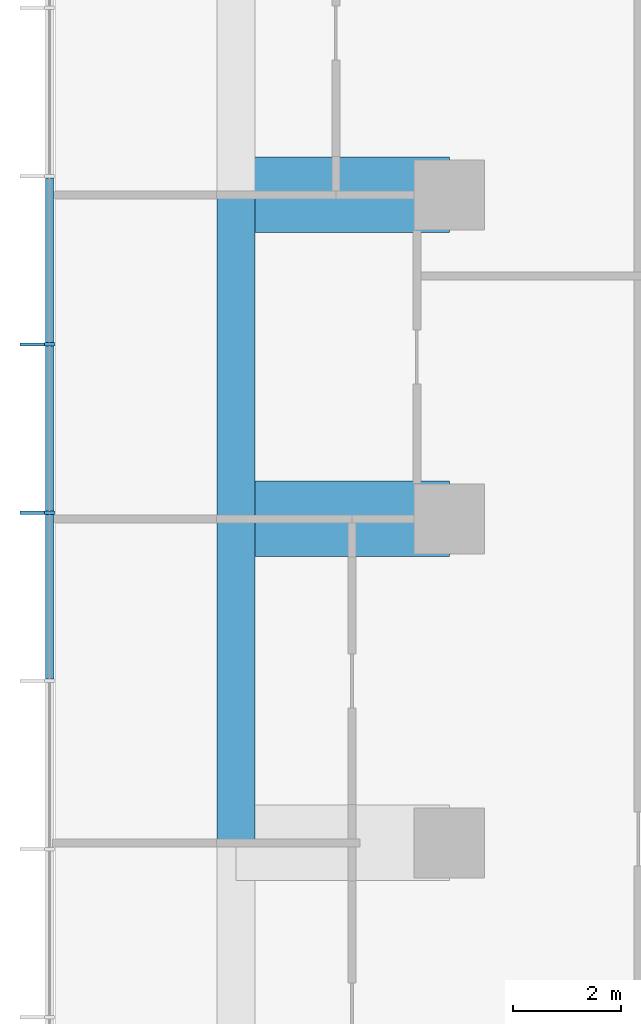
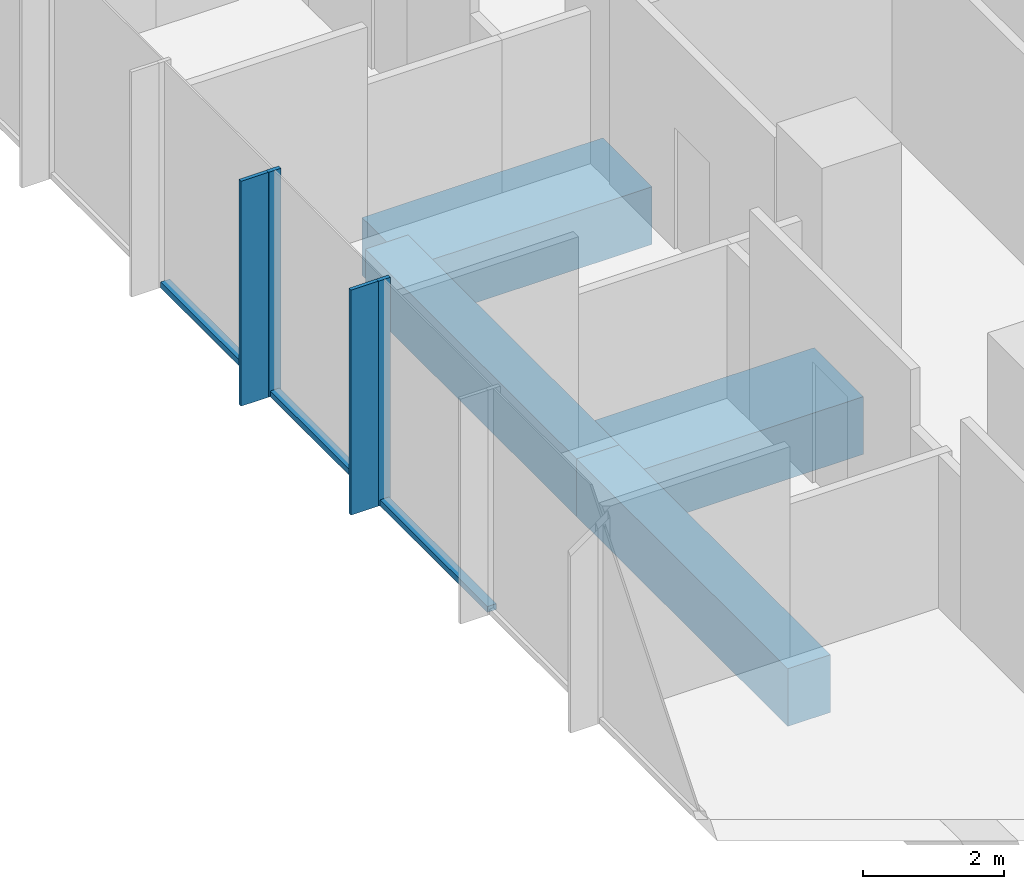
# One storey, part 3 of 11: 7 members, 4 beams, 1 element without a shape of its own.
"""IFC4 building model written with IfcOpenShell, lengths in metres."""

from ifc_helpers import new_model, si_unit, direction, frame, origin, origin_2d, place, context, subcontext, project, spatial, rectangle, extrude, material, layer, layer_set, material_profile, profile_set, type_object, element, aggregate, save


model = new_model("IFC4")

# Units and contexts
model_context = context("Model", 3, precision=1e-05, world=origin(), true_north=direction((0.0, 1.0)))
body_context = subcontext(model_context, "Body", "Model", "MODEL_VIEW")
ifc_project = project(units=[si_unit("LENGTHUNIT", "METRE"), si_unit("AREAUNIT", "SQUARE_METRE"), si_unit("VOLUMEUNIT", "CUBIC_METRE"), si_unit("PLANEANGLEUNIT", "RADIAN"), si_unit("MASSUNIT", "GRAM", prefix="KILO")], contexts=[model_context])

# Site, building, storey
site_placement = place(None, origin())
site = spatial("IfcSite", under=ifc_project, at=site_placement, CompositionType="ELEMENT")
building_placement = place(site_placement, origin())
building = spatial("IfcBuilding", under=site, at=building_placement, Name="Highveld Stack Headquarters", CompositionType="ELEMENT")
storey_placement = place(building_placement, frame((0.0, 0.0, 227.89990234375)))
storey = spatial("IfcBuildingStorey", under=building, at=storey_placement, Name="L56", CompositionType="ELEMENT", Elevation=227.89990234375)

# Beams
ifc_material_1 = material(Name="Concrete C60/75", Category="concrete")
ifc_material_profile_1 = material_profile(ifc_material_1, rectangle(XDim=1.39990234375, YDim=1.0, at=origin_2d()), Name="RC 1400x1000")
ifc_profile_set_1 = profile_set([ifc_material_profile_1], Name="Concrete C60/75")
beam_type_1 = type_object("IfcBeamType", Name="CANTILEVER RIB RC 1400x1000", PredefinedType="USERDEFINED", material=ifc_profile_set_1)
for number, where, z_axis, x_axis, name in (
    (1, (-12.0, 6.0, -0.75), (-1.0, 0.0, 0.0), (0.0, -1.0, 0.0), "Cantilever rib 4/F L56"),
    (2, (-12.0, 12.0, -0.75), (-1.0, 0.0, 0.0), (0.0, -1.0, 0.0), "Cantilever rib 4/G L56"),
):
    element("IfcBeam", number, at=place(storey_placement, frame(where, z_axis=z_axis, x_axis=x_axis)), inside=storey, type_object=beam_type_1, Name=name, ObjectType="CANTILEVER RIB", PredefinedType="USERDEFINED", context=body_context, shape_type="SweptSolid", body=[
        extrude(rectangle(XDim=1.39990234375, YDim=1.0, at=origin_2d()), origin(), (0.0, 0.0, 1.0), 3.949951171875),
    ])

# Curtain wall, members
ifc_material_2 = material(Name="Aluminium bronze anodised", Category="aluminium")
ifc_layer = layer(ifc_material_2, 0.199951171875)
ifc_layer_set = layer_set([ifc_layer], Name="Aluminium bronze anodised")
curtain_wall_type = type_object("IfcCurtainWallType", Name="CW1 TOWER UNITISED CURTAIN WALL", PredefinedType="NOTDEFINED", material=ifc_layer_set)
curtain_wall_placement = place(storey_placement, origin())
curtain_wall = element("IfcCurtainWall", 3, at=curtain_wall_placement, inside=storey, type_object=curtain_wall_type, Name="Curtain wall CW1 L56 W", PredefinedType="NOTDEFINED")
ifc_material_3 = material(Name="Aluminium bronze anodised", Category="aluminium")
ifc_material_profile_2 = material_profile(ifc_material_3, rectangle(XDim=0.449951171875, YDim=0.06005859375, at=origin_2d()), Name="FIN 450x60")
ifc_profile_set_2 = profile_set([ifc_material_profile_2], Name="Aluminium bronze anodised")
member_type_1 = type_object("IfcMemberType", Name="CW1 BRONZE FIN 450x60", PredefinedType="USERDEFINED", material=ifc_profile_set_2)
member_1_placement = place(storey_placement, frame((-19.72509765625, 9.23193359375, 0.0), z_axis=(0.0, 0.0, 1.0), x_axis=(1.0, 0.0, 0.0)))
member_1 = element("IfcMember", 4, at=member_1_placement, type_object=member_type_1, Name="CW1 fin L56 4", ObjectType="FIN", PredefinedType="USERDEFINED", context=body_context, shape_type="SweptSolid", body=[
    extrude(rectangle(XDim=0.449951171875, YDim=0.06005859375, at=origin_2d()), origin(), (0.0, 0.0, 1.0), 3.900146484375),
])
member_2_placement = place(storey_placement, frame((-19.72509765625, 6.115966796875, 0.0), z_axis=(0.0, 0.0, 1.0), x_axis=(1.0, 0.0, 0.0)))
member_2 = element("IfcMember", 5, at=member_2_placement, type_object=member_type_1, Name="CW1 fin L56 5", ObjectType="FIN", PredefinedType="USERDEFINED", context=body_context, shape_type="SweptSolid", body=[
    extrude(rectangle(XDim=0.449951171875, YDim=0.06005859375, at=origin_2d()), origin(), (0.0, 0.0, 1.0), 3.900146484375),
])
ifc_material_4 = material(Name="Aluminium bronze anodised", Category="aluminium")
ifc_material_profile_3 = material_profile(ifc_material_4, rectangle(XDim=0.199951171875, YDim=0.06494140625, at=origin_2d()), Name="CW1 MULLION 65x200")
ifc_profile_set_3 = profile_set([ifc_material_profile_3], Name="Aluminium bronze anodised")
member_type_2 = type_object("IfcMemberType", Name="CW1 MULLION 65x200", PredefinedType="MULLION", material=ifc_profile_set_3)
member_3_placement = place(storey_placement, frame((-19.39990234375, 9.23193359375, 0.0), z_axis=(0.0, 0.0, 1.0), x_axis=(1.0, 0.0, 0.0)))
member_3 = element("IfcMember", 6, at=member_3_placement, type_object=member_type_2, Name="CW1 mullion L56 4", PredefinedType="MULLION", context=body_context, shape_type="SweptSolid", body=[
    extrude(rectangle(XDim=0.199951171875, YDim=0.06494140625, at=origin_2d()), origin(), (0.0, 0.0, 1.0), 3.900146484375),
])
member_4_placement = place(storey_placement, frame((-19.39990234375, 6.115966796875, 0.0), z_axis=(0.0, 0.0, 1.0), x_axis=(1.0, 0.0, 0.0)))
member_4 = element("IfcMember", 7, at=member_4_placement, type_object=member_type_2, Name="CW1 mullion L56 5", PredefinedType="MULLION", context=body_context, shape_type="SweptSolid", body=[
    extrude(rectangle(XDim=0.199951171875, YDim=0.06494140625, at=origin_2d()), origin(), (0.0, 0.0, 1.0), 3.900146484375),
])
ifc_material_5 = material(Name="Aluminium bronze anodised", Category="aluminium")
ifc_material_profile_4 = material_profile(ifc_material_5, rectangle(XDim=0.14990234375, YDim=0.10009765625, at=origin_2d()), Name="CW1 TRANSOM 150x100")
ifc_profile_set_4 = profile_set([ifc_material_profile_4], Name="Aluminium bronze anodised")
member_type_3 = type_object("IfcMemberType", Name="CW1 STACK TRANSOM 150x100", PredefinedType="USERDEFINED", material=ifc_profile_set_4)
member_5_placement = place(storey_placement, frame((-19.39990234375, 12.3154296875, 0.050048828125), z_axis=(0.0, -1.0, 0.0), x_axis=(1.0, 0.0, 0.0)))
member_5 = element("IfcMember", 8, at=member_5_placement, type_object=member_type_3, Name="CW1 transom L56 3.1", ObjectType="TRANSOM", PredefinedType="USERDEFINED", context=body_context, shape_type="SweptSolid", body=[
    extrude(rectangle(XDim=0.14990234375, YDim=0.10009765625, at=origin_2d()), origin(), (0.0, 0.0, 1.0), 3.051025390625),
])
member_6_placement = place(storey_placement, frame((-19.39990234375, 9.199462890625, 0.050048828125), z_axis=(0.0, -1.0, 0.0), x_axis=(1.0, 0.0, 0.0)))
member_6 = element("IfcMember", 9, at=member_6_placement, type_object=member_type_3, Name="CW1 transom L56 4.1", ObjectType="TRANSOM", PredefinedType="USERDEFINED", context=body_context, shape_type="SweptSolid", body=[
    extrude(rectangle(XDim=0.14990234375, YDim=0.10009765625, at=origin_2d()), origin(), (0.0, 0.0, 1.0), 3.051025390625),
])
member_7_placement = place(storey_placement, frame((-19.39990234375, 6.08349609375, 0.050048828125), z_axis=(0.0, -1.0, 0.0), x_axis=(1.0, 0.0, 0.0)))
member_7 = element("IfcMember", 10, at=member_7_placement, type_object=member_type_3, Name="CW1 transom L56 5.1", ObjectType="TRANSOM", PredefinedType="USERDEFINED", context=body_context, shape_type="SweptSolid", body=[
    extrude(rectangle(XDim=0.14990234375, YDim=0.10009765625, at=origin_2d()), origin(), (0.0, 0.0, 1.0), 3.051025390625),
])
aggregate(curtain_wall, [member_3, member_1, member_4, member_2, member_5, member_6, member_7])

# Beams
ifc_material_6 = material(Name="Concrete C60/75", Category="concrete")
ifc_material_profile_5 = material_profile(ifc_material_6, rectangle(XDim=0.699951171875, YDim=1.0, at=origin_2d()), Name="RC 700x1000")
ifc_profile_set_5 = profile_set([ifc_material_profile_5], Name="Concrete C60/75")
beam_type_2 = type_object("IfcBeamType", Name="RIB TIP BEAM RC 700x1000", PredefinedType="SPANDREL", material=ifc_profile_set_5)
for number, where, z_axis, x_axis, name in (
    (11, (-15.949951171875, 0.0, -0.75), (0.0, 1.0, 0.0), (-1.0, 0.0, 0.0), "Rib tip beam 4/E to 4/F L56"),
    (12, (-15.949951171875, 6.0, -0.75), (0.0, 1.0, 0.0), (-1.0, 0.0, 0.0), "Rib tip beam 4/F to 4/G L56"),
):
    element("IfcBeam", number, at=place(storey_placement, frame(where, z_axis=z_axis, x_axis=x_axis)), inside=storey, type_object=beam_type_2, Name=name, PredefinedType="SPANDREL", context=body_context, shape_type="SweptSolid", body=[
        extrude(rectangle(XDim=0.699951171875, YDim=1.0, at=origin_2d()), origin(), (0.0, 0.0, 1.0), 6.0),
    ])

save(model, "model.ifc")
